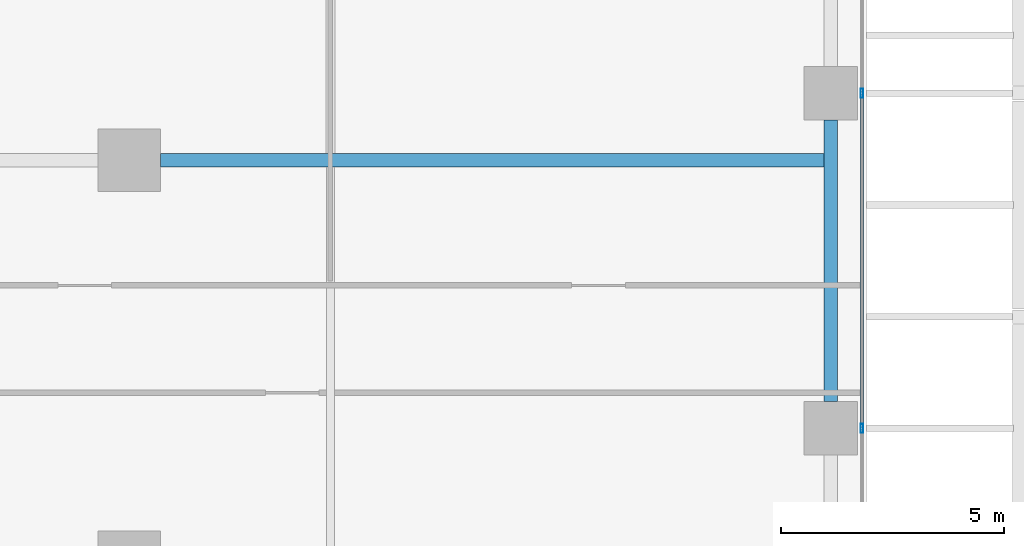
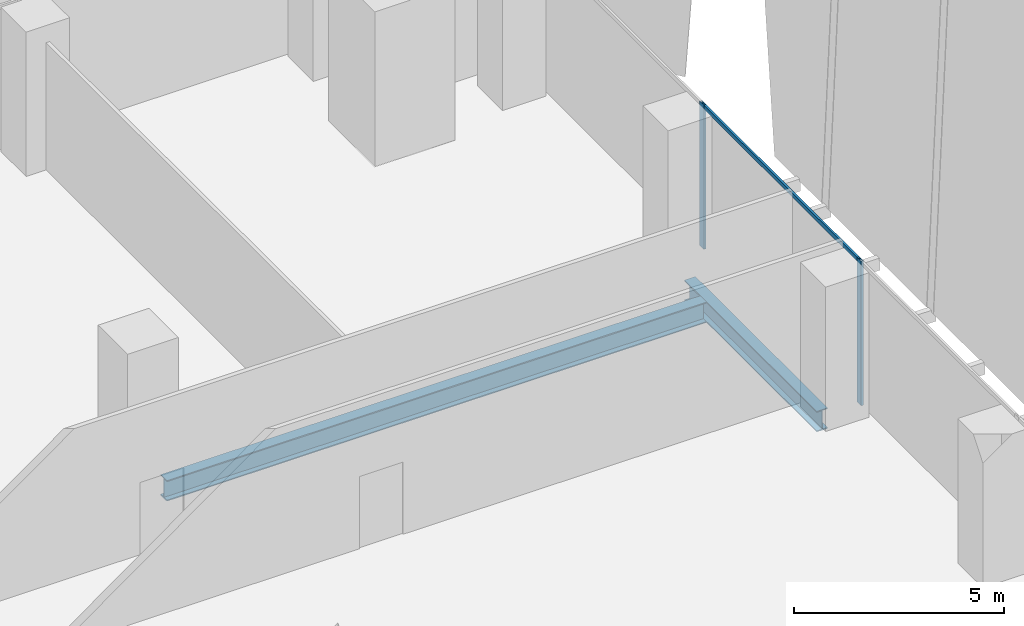
# One storey, part 17 of 35: 3 members, 2 beams, 1 element without a shape of its own.
"""IFC4 building model written with IfcOpenShell, lengths in metres."""

from ifc_helpers import new_model, si_unit, direction, frame, origin, origin_2d, place, context, subcontext, project, spatial, hollow_rectangle, i_section, extrude, source, transform, mapped, material, material_profile, profile_set, type_object, element, aggregate, save


model = new_model("IFC4")

# Units and contexts
model_context = context("Model", 3, precision=1e-05, world=origin(), true_north=direction((0.0, 1.0)))
body_context = subcontext(model_context, "Body", "Model", "MODEL_VIEW")
ifc_project = project(units=[si_unit("LENGTHUNIT", "METRE"), si_unit("AREAUNIT", "SQUARE_METRE"), si_unit("VOLUMEUNIT", "CUBIC_METRE"), si_unit("PLANEANGLEUNIT", "RADIAN"), si_unit("MASSUNIT", "GRAM", prefix="KILO")], contexts=[model_context])

# Site, building, storey
site_placement = place(None, origin())
site = spatial("IfcSite", under=ifc_project, at=site_placement, CompositionType="ELEMENT")
building_placement = place(site_placement, origin())
building = spatial("IfcBuilding", under=site, at=building_placement, Name="Khomas Fold Tower", CompositionType="ELEMENT")
storey_placement = place(building_placement, frame((0.0, 0.0, 87.0)))
storey = spatial("IfcBuildingStorey", under=building, at=storey_placement, Name="L18", CompositionType="ELEMENT", Elevation=87.0)

# Beams
ifc_material_1 = material(Name="Steel S355", Category="steel")
ifc_material_profile_1 = material_profile(ifc_material_1, i_section(OverallWidth=0.300048828125, OverallDepth=0.60009765625, WebThickness=0.015380859375, FlangeThickness=0.030029296875, at=origin_2d()), Name="HE 600 B")
ifc_profile_set_1 = profile_set([ifc_material_profile_1], Name="Steel S355")
beam_type_1 = type_object("IfcBeamType", Name="HE 600 B spandrel SB1", PredefinedType="SPANDREL", material=ifc_profile_set_1)
shared_shape_1 = source(origin(), body_context, "Body", "SweptSolid", [
    extrude(i_section(OverallWidth=0.300048828125, OverallDepth=0.60009765625, WebThickness=0.015380859375, FlangeThickness=0.030029296875, at=origin_2d()), origin(), (0.0, 0.0, 1.0), 6.2998046875),
])
beam_1_placement = place(storey_placement, frame((53.199951171875, 35.10009765625, -0.60009765625), z_axis=(0.0, 1.0, 0.0), x_axis=(-1.0, 0.0, 0.0)))
element("IfcBeam", 1, at=beam_1_placement, inside=storey, type_object=beam_type_1, Name="SB1", PredefinedType="SPANDREL", context=body_context, shape_type="MappedRepresentation", body=[
    mapped(shared_shape_1, transform((0.0, 0.0, 0.0))),
])
ifc_material_2 = material(Name="Steel S355", Category="steel")
ifc_material_profile_2 = material_profile(ifc_material_2, i_section(OverallWidth=0.300048828125, OverallDepth=0.60009765625, WebThickness=0.015380859375, FlangeThickness=0.030029296875, at=origin_2d()), Name="HE 600 B")
ifc_profile_set_2 = profile_set([ifc_material_profile_2], Name="Steel S355")
beam_type_2 = type_object("IfcBeamType", Name="HE 600 B beam GB5", PredefinedType="BEAM", material=ifc_profile_set_2)
shared_shape_2 = source(origin(), body_context, "Body", "SweptSolid", [
    extrude(i_section(OverallWidth=0.300048828125, OverallDepth=0.60009765625, WebThickness=0.015380859375, FlangeThickness=0.030029296875, at=origin_2d()), origin(), (0.0, 0.0, 1.0), 14.85009765625),
])
beam_2_placement = place(storey_placement, frame((38.199951171875, 40.5, -0.60009765625), z_axis=(1.0, 0.0, 0.0), x_axis=(0.0, 1.0, 0.0)))
element("IfcBeam", 2, at=beam_2_placement, inside=storey, type_object=beam_type_2, Name="GB5", PredefinedType="BEAM", context=body_context, shape_type="MappedRepresentation", body=[
    mapped(shared_shape_2, transform((0.0, 0.0, 0.0))),
])

# Curtain wall, members
ifc_material_3 = material(Name="Aluminium framed double glazing", Category="aluminium")
curtain_wall_type = type_object("IfcCurtainWallType", Name="SK-Unitised clear-glass wall, growing floors CW1", PredefinedType="NOTDEFINED", material=ifc_material_3)
curtain_wall_placement = place(storey_placement, origin())
curtain_wall = element("IfcCurtainWall", 3, at=curtain_wall_placement, inside=storey, type_object=curtain_wall_type, Name="CW1 run L18 03-0", PredefinedType="NOTDEFINED")
ifc_material_4 = material(Name="Aluminium", Category="aluminium")
ifc_material_profile_3 = material_profile(ifc_material_4, hollow_rectangle(XDim=0.06005859375, YDim=0.1201171875, WallThickness=0.00390625, at=origin_2d()), Name="SK-Unitised clear-glass wall, growing floors transom CW1-T")
ifc_profile_set_3 = profile_set([ifc_material_profile_3], Name="Aluminium")
member_type_1 = type_object("IfcMemberType", Name="SK-Unitised clear-glass wall, growing floors transom CW1-T", PredefinedType="USERDEFINED", material=ifc_profile_set_3)
shared_shape_3 = source(origin(), body_context, "Body", "SweptSolid", [
    extrude(hollow_rectangle(XDim=0.06005859375, YDim=0.1201171875, WallThickness=0.00390625, at=origin_2d()), origin(), (0.0, 0.0, 1.0), 7.43994140625),
])
member_1_placement = place(storey_placement, frame((53.89990234375, 34.530029296875, 4.139892578125), z_axis=(0.0, 1.0, 0.0), x_axis=(-1.0, 0.0, 0.0)))
member_1 = element("IfcMember", 4, at=member_1_placement, type_object=member_type_1, Name="CW1 transom 6", ObjectType="TRANSOM", PredefinedType="USERDEFINED", context=body_context, shape_type="MappedRepresentation", body=[
    mapped(shared_shape_3, transform((0.0, 0.0, 0.0))),
])
ifc_material_5 = material(Name="Aluminium", Category="aluminium")
ifc_material_profile_4 = material_profile(ifc_material_5, hollow_rectangle(XDim=0.06005859375, YDim=0.199951171875, WallThickness=0.00390625, at=origin_2d()), Name="SK-Unitised clear-glass wall, growing floors mullion CW1-M")
ifc_profile_set_4 = profile_set([ifc_material_profile_4], Name="Aluminium")
member_type_2 = type_object("IfcMemberType", Name="SK-Unitised clear-glass wall, growing floors mullion CW1-M", PredefinedType="MULLION", material=ifc_profile_set_4)
shared_shape_4 = source(origin(), body_context, "Body", "SweptSolid", [
    extrude(hollow_rectangle(XDim=0.06005859375, YDim=0.199951171875, WallThickness=0.00390625, at=origin_2d()), origin(), (0.0, 0.0, 1.0), 4.199951171875),
])
member_2_placement = place(storey_placement, frame((53.89990234375, 34.5, 0.0), z_axis=(0.0, 0.0, 1.0), x_axis=(-1.0, 0.0, 0.0)))
member_2 = element("IfcMember", 5, at=member_2_placement, type_object=member_type_2, Name="CW1 mullion 6", PredefinedType="MULLION", context=body_context, shape_type="MappedRepresentation", body=[
    mapped(shared_shape_4, transform((0.0, 0.0, 0.0))),
])
member_3_placement = place(storey_placement, frame((53.89990234375, 42.0, 0.0), z_axis=(0.0, 0.0, 1.0), x_axis=(-1.0, 0.0, 0.0)))
member_3 = element("IfcMember", 6, at=member_3_placement, type_object=member_type_2, Name="CW1 mullion 7", PredefinedType="MULLION", context=body_context, shape_type="MappedRepresentation", body=[
    mapped(shared_shape_4, transform((0.0, 0.0, 0.0))),
])
aggregate(curtain_wall, [member_2, member_3, member_1])

save(model, "model.ifc")
